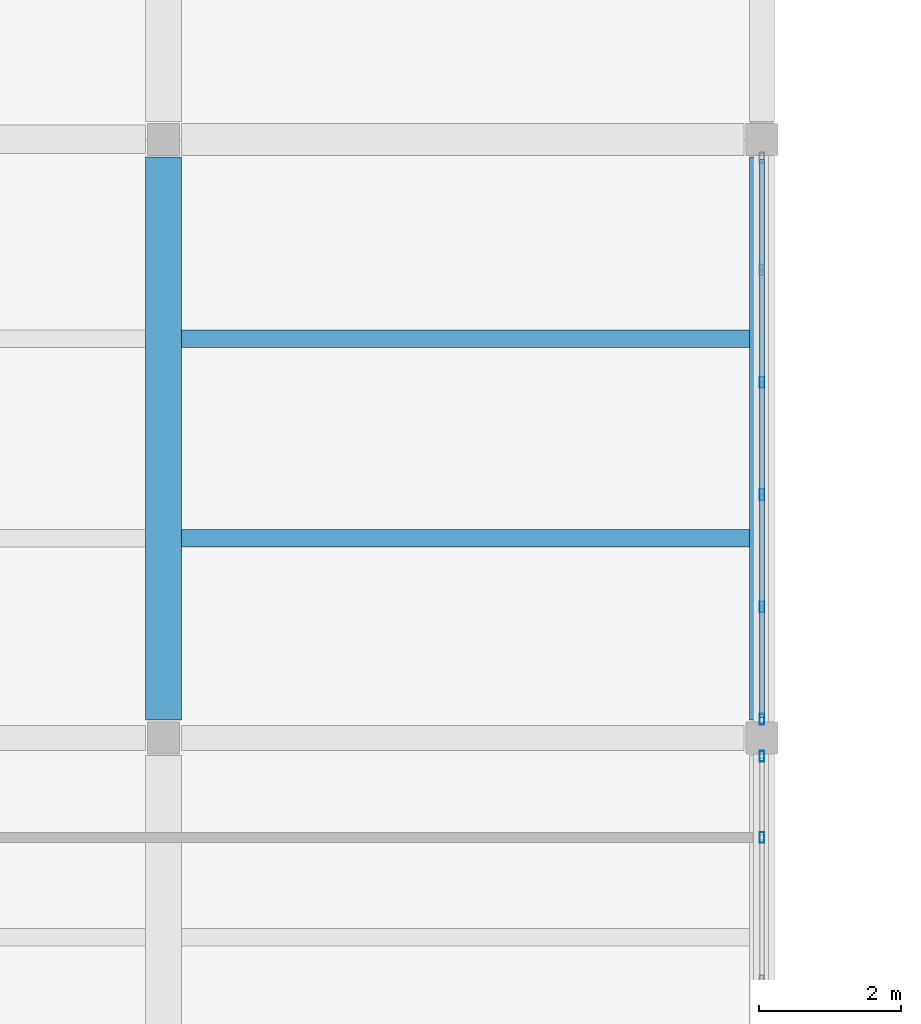
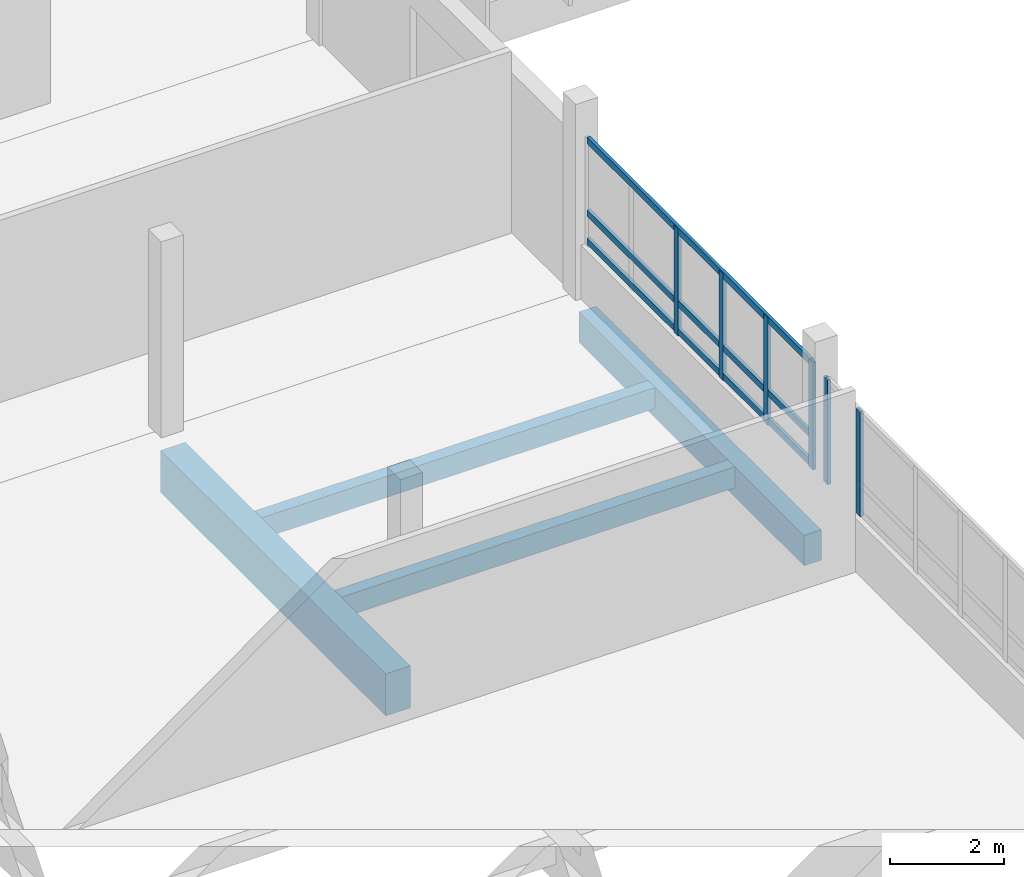
# One storey, part 18 of 62: 9 members, 4 beams, 2 elements without a shape of their own.
"""IFC4 building model written with IfcOpenShell, lengths in metres."""

import ifcopenshell
import ifcopenshell.guid

model = None  # the IFC model being written
_history = None  # IfcOwnerHistory: only IFC2X3 demands one
_inside = {}  # id of a spatial element -> (the spatial element, [elements in it])
_under = {}  # id of a project, library or spatial element -> (it, [spatial elements below it])
_declared = {}  # id of a project -> (the project, [libraries it declares])
_typed = {}  # id of a type object -> (the type object, [elements of that type])
_made_of = {}  # id of a material, layer set ... -> (it, [elements and type objects made of it])


def new_model(schema):
    """Start an empty IFC model of exactly this schema.

    Asked for "IFC4X3", IfcOpenShell would pick the latest addendum, in which some entities
    have other attributes; the version numbers below select the first issue.
    IFC2X3 requires an IfcOwnerHistory on every rooted entity: one is made here for all.
    """
    global model, _history
    if schema == "IFC4X3":
        model = ifcopenshell.file(schema_version=(4, 3, 0, 0))
    else:
        model = ifcopenshell.file(schema=schema)
    _inside.clear()
    _under.clear()
    _declared.clear()
    _typed.clear()
    _made_of.clear()
    _history = None
    if model.schema == "IFC2X3":
        org = make("IfcOrganization", Name="unknown")
        user = make(
            "IfcPersonAndOrganization",
            ThePerson=make("IfcPerson", FamilyName="unknown"),
            TheOrganization=org,
        )
        app = make(
            "IfcApplication",
            ApplicationDeveloper=org,
            Version="unknown",
            ApplicationFullName="unknown",
            ApplicationIdentifier="unknown",
        )
        _history = make(
            "IfcOwnerHistory",
            OwningUser=user,
            OwningApplication=app,
            ChangeAction="ADDED",
            CreationDate=0,
        )
    return model


def make(cls, **values):
    """One entity of the class cls with the attributes given. An attribute that is None is left unset."""
    return model.create_entity(
        cls, **{name: value for name, value in values.items() if value is not None}
    )


def rooted(cls, **values):
    """An entity with a GlobalId (a new one), such as an element, a storey or a relation."""
    return make(cls, GlobalId=ifcopenshell.guid.new(), OwnerHistory=_history, **values)


def si_unit(unit_type, name, prefix=None):
    """IfcSIUnit, for example si_unit("LENGTHUNIT", "METRE", prefix="MILLI")."""
    return make("IfcSIUnit", UnitType=unit_type, Prefix=prefix, Name=name)


def assignment(units):
    """IfcUnitAssignment: the units of a project."""
    return None if units is None else make("IfcUnitAssignment", Units=units)


def point(xyz):
    """IfcCartesianPoint."""
    return None if xyz is None else make("IfcCartesianPoint", Coordinates=xyz)


def direction(xyz):
    """IfcDirection."""
    return None if xyz is None else make("IfcDirection", DirectionRatios=xyz)


def frame(location, z_axis=None, x_axis=None):
    """IfcAxis2Placement3D, a coordinate frame: its origin and axes. An axis left out is left unset."""
    return make(
        "IfcAxis2Placement3D",
        Location=point(location),
        Axis=direction(z_axis),
        RefDirection=direction(x_axis),
    )


def frame_2d(location, x_axis=None):
    """IfcAxis2Placement2D, a coordinate frame in the plane: its origin and x axis."""
    return make(
        "IfcAxis2Placement2D", Location=point(location), RefDirection=direction(x_axis)
    )


def origin():
    """The frame at (0, 0, 0) with its axes left unset."""
    return frame((0.0, 0.0, 0.0))


def origin_2d():
    """The frame at (0, 0) in the plane with its x axis left unset."""
    return frame_2d((0.0, 0.0))


def place(relative_to, where):
    """IfcLocalPlacement: puts the frame where relative to a parent placement (None: the world)."""
    return make(
        "IfcLocalPlacement", PlacementRelTo=relative_to, RelativePlacement=where
    )


def context(
    kind, dimensions, precision=None, world=None, true_north=None, identifier=None
):
    """IfcGeometricRepresentationContext, for example the 3D "Model" context."""
    return make(
        "IfcGeometricRepresentationContext",
        ContextIdentifier=identifier,
        ContextType=kind,
        CoordinateSpaceDimension=dimensions,
        Precision=precision,
        WorldCoordinateSystem=world,
        TrueNorth=true_north,
    )


def subcontext(parent, identifier, kind, view, scale=None):
    """IfcGeometricRepresentationSubContext, for example "Body" below "Model"."""
    return make(
        "IfcGeometricRepresentationSubContext",
        ContextIdentifier=identifier,
        ContextType=kind,
        ParentContext=parent,
        TargetScale=scale,
        TargetView=view,
    )


def project(units=None, contexts=None):
    """IfcProject with its units and contexts."""
    return rooted(
        "IfcProject",
        Name="project",
        RepresentationContexts=contexts,
        UnitsInContext=assignment(units),
    )


def spatial(cls, under=None, at=None, **own):
    """A site, building, storey or space (cls), placed at a placement, below another one or the project."""
    s = rooted(cls, ObjectPlacement=at, **own)
    if under is not None:
        _under.setdefault(under.id(), (under, []))[1].append(s)
    return s


def profile(cls, at=None, kind="AREA", **sizes):
    """A parametric profile (cls). Its sizes go by their IFC names, for example OverallWidth=200.0."""
    return make(cls, ProfileType=kind, Position=at, **sizes)


def rectangle(**sizes):
    """IfcRectangleProfileDef."""
    return profile("IfcRectangleProfileDef", **sizes)


def hollow_rectangle(**sizes):
    """IfcRectangleHollowProfileDef."""
    return profile("IfcRectangleHollowProfileDef", **sizes)


def extrude(swept, where, along, depth):
    """IfcExtrudedAreaSolid: the profile swept, set in the frame where, extruded along a direction by depth."""
    return make(
        "IfcExtrudedAreaSolid",
        SweptArea=swept,
        Position=where,
        ExtrudedDirection=direction(along),
        Depth=depth,
    )


def shape(context_of_items, identifier, shape_type, items):
    """IfcShapeRepresentation: the items that make up one representation, for example the "Body"."""
    return make(
        "IfcShapeRepresentation",
        ContextOfItems=context_of_items,
        RepresentationIdentifier=identifier,
        RepresentationType=shape_type,
        Items=items,
    )


def material(Name=None, Category=None):
    """IfcMaterial."""
    return make("IfcMaterial", Name=Name, Category=Category)


def layer(
    of_material, thickness, ventilated=None, Name=None, Category=None, Priority=None
):
    """IfcMaterialLayer: one layer of a wall or slab, of a material (None: an air gap)."""
    return make(
        "IfcMaterialLayer",
        Material=of_material,
        LayerThickness=thickness,
        IsVentilated=ventilated,
        Name=Name,
        Category=Category,
        Priority=Priority,
    )


def layer_set(layers, Name=None):
    """IfcMaterialLayerSet."""
    return make("IfcMaterialLayerSet", MaterialLayers=layers, LayerSetName=Name)


def material_profile(
    of_material, cross_section, Name=None, Category=None, Priority=None
):
    """IfcMaterialProfile: a cross section and its material."""
    return make(
        "IfcMaterialProfile",
        Name=Name,
        Material=of_material,
        Profile=cross_section,
        Priority=Priority,
        Category=Category,
    )


def profile_set(profiles, Name=None, composite=None):
    """IfcMaterialProfileSet."""
    return make(
        "IfcMaterialProfileSet",
        Name=Name,
        MaterialProfiles=profiles,
        CompositeProfile=composite,
    )


def made_of(thing, what):
    """Note that an element or type object is made of a material, layer set ...; save() writes the relation."""
    if what is not None:
        _made_of.setdefault(what.id(), (what, []))[1].append(thing)
    return thing


def type_object(cls, material=None, **own):
    """A type object (cls), such as IfcWallType, which elements share."""
    return made_of(rooted(cls, **own), material)


def element(
    cls,
    number,
    at=None,
    inside=None,
    cuts=None,
    type_object=None,
    material=None,
    context=None,
    identifier="Body",
    shape_type=None,
    held_by="IfcProductDefinitionShape",
    body=None,
    shapes=None,
    **own,
):
    """One element of the class cls, such as IfcWall. Its Tag is "e" and its number.

    at: its placement. inside: the storey or other place that contains it. cuts: it is an
    opening in that element (IfcRelVoidsElement). A single representation is given by context,
    identifier, shape_type and body (its items); several are given by shapes. held_by: the class
    of the entity that holds the representations. save() writes the other relations.
    """
    e = rooted(cls, Tag="e%d" % number, ObjectPlacement=at, **own)
    if body is not None:
        shapes = [shape(context, identifier, shape_type, body)]
    if shapes is not None:
        e.Representation = make(held_by, Representations=shapes)
    if inside is not None:
        _inside.setdefault(inside.id(), (inside, []))[1].append(e)
    if cuts is not None:
        rooted(
            "IfcRelVoidsElement", RelatingBuildingElement=cuts, RelatedOpeningElement=e
        )
    if type_object is not None:
        _typed.setdefault(type_object.id(), (type_object, []))[1].append(e)
    return made_of(e, material)


def aggregate(whole, parts):
    """IfcRelAggregates: a whole, such as a stair, and the parts it consists of."""
    return rooted("IfcRelAggregates", RelatingObject=whole, RelatedObjects=parts)


def save(model, path):
    """Write the relations noted so far, then the file.

    IfcRelAggregates (storeys below a building ...), IfcRelContainedInSpatialStructure (elements
    in a storey), IfcRelDefinesByType, IfcRelAssociatesMaterial and IfcRelDeclares: one each for
    every whole, place, type object, material and project.
    """
    for whole, parts in _under.values():
        aggregate(whole, parts)
    for where, things in _inside.values():
        rooted(
            "IfcRelContainedInSpatialStructure",
            RelatedElements=things,
            RelatingStructure=where,
        )
    for kind, things in _typed.values():
        rooted("IfcRelDefinesByType", RelatedObjects=things, RelatingType=kind)
    for what, things in _made_of.values():
        rooted("IfcRelAssociatesMaterial", RelatedObjects=things, RelatingMaterial=what)
    for by, libraries in _declared.values():
        rooted("IfcRelDeclares", RelatingContext=by, RelatedDefinitions=libraries)
    model.write(path)


model = new_model("IFC4")

# Units and contexts
model_context = context("Model", 3, precision=1e-05, world=origin(), true_north=direction((0.0, 1.0)))
body_context = subcontext(model_context, "Body", "Model", "MODEL_VIEW")
ifc_project = project(units=[si_unit("LENGTHUNIT", "METRE"), si_unit("AREAUNIT", "SQUARE_METRE"), si_unit("VOLUMEUNIT", "CUBIC_METRE"), si_unit("PLANEANGLEUNIT", "RADIAN"), si_unit("MASSUNIT", "GRAM", prefix="KILO")], contexts=[model_context])

# Site, building, storey
site_placement = place(None, origin())
site = spatial("IfcSite", under=ifc_project, at=site_placement, CompositionType="ELEMENT")
building_placement = place(site_placement, origin())
building = spatial("IfcBuilding", under=site, at=building_placement, Name="Vireocrest Preparatory School", CompositionType="ELEMENT")
storey_placement = place(building_placement, frame((0.0, 0.0, 17.39990234375)))
storey = spatial("IfcBuildingStorey", under=building, at=storey_placement, Name="L04", CompositionType="ELEMENT", Elevation=17.39990234375)

# Curtain wall, members
ifc_material_1 = material(Name="Thermally broken aluminium EN AW-6063-T6", Category="aluminium")
ifc_layer = layer(ifc_material_1, 0.179931640625)
ifc_layer_set = layer_set([ifc_layer], Name="Thermally broken aluminium EN AW-6063-T6")
curtain_wall_type = type_object("IfcCurtainWallType", Name="Court Banded Curtain Wall 8400x3000", PredefinedType="USERDEFINED", material=ifc_layer_set)
curtain_wall_1_placement = place(storey_placement, origin())
curtain_wall_1 = element("IfcCurtainWall", 1, at=curtain_wall_1_placement, inside=storey, type_object=curtain_wall_type, Name="Curtain Wall CW02 CW_L04_CW02_0672_0692_186", ObjectType="CURTAIN WALL", PredefinedType="USERDEFINED")
ifc_material_profile_1 = material_profile(ifc_material_1, hollow_rectangle(XDim=0.06494140625, YDim=0.14990234375, WallThickness=0.00390625, at=origin_2d()), Name="ALU 65x150x4")
ifc_profile_set_1 = profile_set([ifc_material_profile_1], Name="Thermally broken aluminium EN AW-6063-T6")
member_type_1 = type_object("IfcMemberType", Name="CW Mullion 65x150x4", PredefinedType="MULLION", material=ifc_profile_set_1)
member_1_placement = place(storey_placement, frame((67.199951171875, 76.0, 1.150146484375), z_axis=(0.0, 0.0, 1.0), x_axis=(1.0, 0.0, 0.0)))
member_1 = element("IfcMember", 2, at=member_1_placement, type_object=member_type_1, Name="CW Mullion ML1 CW_L04_CW02_0672_0692_186-5", PredefinedType="MULLION", context=body_context, shape_type="SweptSolid", body=[
    extrude(hollow_rectangle(XDim=0.06494140625, YDim=0.14990234375, WallThickness=0.00390625, at=origin_2d()), origin(), (0.0, 0.0, 1.0), 2.244873046875),
])
member_2_placement = place(storey_placement, frame((67.199951171875, 77.139892578125, 1.150146484375), z_axis=(0.0, 0.0, 1.0), x_axis=(1.0, 0.0, 0.0)))
member_2 = element("IfcMember", 3, at=member_2_placement, type_object=member_type_1, Name="CW Mullion ML1 CW_L04_CW02_0672_0692_186-6", PredefinedType="MULLION", context=body_context, shape_type="SweptSolid", body=[
    extrude(hollow_rectangle(XDim=0.06494140625, YDim=0.14990234375, WallThickness=0.00390625, at=origin_2d()), origin(), (0.0, 0.0, 1.0), 2.244873046875),
])
aggregate(curtain_wall_1, [member_1, member_2])

curtain_wall_2_placement = place(storey_placement, origin())
curtain_wall_2 = element("IfcCurtainWall", 4, at=curtain_wall_2_placement, inside=storey, type_object=curtain_wall_type, Name="Curtain Wall CW02 CW_L04_CW02_0672_0776_186", ObjectType="CURTAIN WALL", PredefinedType="USERDEFINED")
member_3_placement = place(storey_placement, frame((67.199951171875, 77.659912109375, 1.150146484375), z_axis=(0.0, 0.0, 1.0), x_axis=(1.0, 0.0, 0.0)))
member_3 = element("IfcMember", 5, at=member_3_placement, type_object=member_type_1, Name="CW Mullion ML1 CW_L04_CW02_0672_0776_186-1", PredefinedType="MULLION", context=body_context, shape_type="SweptSolid", body=[
    extrude(hollow_rectangle(XDim=0.06494140625, YDim=0.14990234375, WallThickness=0.00390625, at=origin_2d()), origin(), (0.0, 0.0, 1.0), 2.294921875),
])
member_4_placement = place(storey_placement, frame((67.199951171875, 79.236083984375, 1.150146484375), z_axis=(0.0, 0.0, 1.0), x_axis=(1.0, 0.0, 0.0)))
member_4 = element("IfcMember", 6, at=member_4_placement, type_object=member_type_1, Name="CW Mullion ML1 CW_L04_CW02_0672_0776_186-2", PredefinedType="MULLION", context=body_context, shape_type="SweptSolid", body=[
    extrude(hollow_rectangle(XDim=0.06494140625, YDim=0.14990234375, WallThickness=0.00390625, at=origin_2d()), origin(), (0.0, 0.0, 1.0), 2.294921875),
])
member_5_placement = place(storey_placement, frame((67.199951171875, 80.81201171875, 1.150146484375), z_axis=(0.0, 0.0, 1.0), x_axis=(1.0, 0.0, 0.0)))
member_5 = element("IfcMember", 7, at=member_5_placement, type_object=member_type_1, Name="CW Mullion ML1 CW_L04_CW02_0672_0776_186-3", PredefinedType="MULLION", context=body_context, shape_type="SweptSolid", body=[
    extrude(hollow_rectangle(XDim=0.06494140625, YDim=0.14990234375, WallThickness=0.00390625, at=origin_2d()), origin(), (0.0, 0.0, 1.0), 2.294921875),
])
member_6_placement = place(storey_placement, frame((67.199951171875, 82.387939453125, 1.150146484375), z_axis=(0.0, 0.0, 1.0), x_axis=(1.0, 0.0, 0.0)))
member_6 = element("IfcMember", 8, at=member_6_placement, type_object=member_type_1, Name="CW Mullion ML1 CW_L04_CW02_0672_0776_186-4", PredefinedType="MULLION", context=body_context, shape_type="SweptSolid", body=[
    extrude(hollow_rectangle(XDim=0.06494140625, YDim=0.14990234375, WallThickness=0.00390625, at=origin_2d()), origin(), (0.0, 0.0, 1.0), 2.294921875),
])
ifc_material_profile_2 = material_profile(ifc_material_1, hollow_rectangle(XDim=0.06494140625, YDim=0.139892578125, WallThickness=0.00390625, at=origin_2d()), Name="ALU 65x140x4")
ifc_profile_set_2 = profile_set([ifc_material_profile_2], Name="Thermally broken aluminium EN AW-6063-T6")
member_type_2 = type_object("IfcMemberType", Name="CW Transom 65x140x4", PredefinedType="USERDEFINED", material=ifc_profile_set_2)
member_7_placement = place(storey_placement, frame((67.199951171875, 77.68505859375, 1.2451171875), z_axis=(0.0, 1.0, 0.0), x_axis=(-1.0, 0.0, 0.0)))
member_7 = element("IfcMember", 9, at=member_7_placement, type_object=member_type_2, Name="CW Transom TR1 CW_L04_CW02_0672_0776_186-1", ObjectType="TRANSOM", PredefinedType="USERDEFINED", context=body_context, shape_type="SweptSolid", body=[
    extrude(hollow_rectangle(XDim=0.06494140625, YDim=0.139892578125, WallThickness=0.00390625, at=origin_2d()), origin(), (0.0, 0.0, 1.0), 7.829833984375),
])
member_8_placement = place(storey_placement, frame((67.199951171875, 77.68505859375, 1.85009765625), z_axis=(0.0, 1.0, 0.0), x_axis=(-1.0, 0.0, 0.0)))
member_8 = element("IfcMember", 10, at=member_8_placement, type_object=member_type_2, Name="CW Transom TR1 CW_L04_CW02_0672_0776_186-2", ObjectType="TRANSOM", PredefinedType="USERDEFINED", context=body_context, shape_type="SweptSolid", body=[
    extrude(hollow_rectangle(XDim=0.06494140625, YDim=0.139892578125, WallThickness=0.00390625, at=origin_2d()), origin(), (0.0, 0.0, 1.0), 7.829833984375),
])
member_9_placement = place(storey_placement, frame((67.199951171875, 77.68505859375, 3.405029296875), z_axis=(0.0, 1.0, 0.0), x_axis=(-1.0, 0.0, 0.0)))
member_9 = element("IfcMember", 11, at=member_9_placement, type_object=member_type_2, Name="CW Transom TR1 CW_L04_CW02_0672_0776_186-3", ObjectType="TRANSOM", PredefinedType="USERDEFINED", context=body_context, shape_type="SweptSolid", body=[
    extrude(hollow_rectangle(XDim=0.06494140625, YDim=0.139892578125, WallThickness=0.00390625, at=origin_2d()), origin(), (0.0, 0.0, 1.0), 7.829833984375),
])
aggregate(curtain_wall_2, [member_3, member_4, member_5, member_6, member_7, member_8, member_9])

# Beams
ifc_material_2 = material(Name="Concrete 40 MPa", Category="concrete")
ifc_material_profile_3 = material_profile(ifc_material_2, rectangle(XDim=0.35009765625, YDim=0.64990234375, at=origin_2d()), Name="RC 350x650")
ifc_profile_set_3 = profile_set([ifc_material_profile_3], Name="Concrete 40 MPa")
beam_type_1 = type_object("IfcBeamType", Name="RC Classroom Girder 350x650", PredefinedType="BEAM", material=ifc_profile_set_3)
beam_1_placement = place(storey_placement, frame((67.199951171875, 77.64990234375, -0.56494140625), z_axis=(0.0, 1.0, 0.0), x_axis=(-1.0, 0.0, 0.0)))
element("IfcBeam", 12, at=beam_1_placement, inside=storey, type_object=beam_type_1, Name="Primary Girder B05 L04-1384", PredefinedType="BEAM", context=body_context, shape_type="SweptSolid", body=[
    extrude(rectangle(XDim=0.35009765625, YDim=0.64990234375, at=origin_2d()), origin(), (0.0, 0.0, 1.0), 7.900146484375),
])
ifc_material_profile_4 = material_profile(ifc_material_2, rectangle(XDim=0.5, YDim=0.89990234375, at=origin_2d()), Name="RC 500x900")
ifc_profile_set_4 = profile_set([ifc_material_profile_4], Name="Concrete 40 MPa")
beam_type_2 = type_object("IfcBeamType", Name="RC Podium Girder 500x900", PredefinedType="BEAM", material=ifc_profile_set_4)
beam_2_placement = place(storey_placement, frame((58.800048828125, 77.64990234375, -0.68994140625), z_axis=(0.0, 1.0, 0.0), x_axis=(-1.0, 0.0, 0.0)))
element("IfcBeam", 13, at=beam_2_placement, inside=storey, type_object=beam_type_2, Name="Primary Girder B15 L04-1376", PredefinedType="BEAM", context=body_context, shape_type="SweptSolid", body=[
    extrude(rectangle(XDim=0.5, YDim=0.89990234375, at=origin_2d()), origin(), (0.0, 0.0, 1.0), 7.900146484375),
])
ifc_material_profile_5 = material_profile(ifc_material_2, rectangle(XDim=0.25, YDim=0.449951171875, at=origin_2d()), Name="RC 250x450")
ifc_profile_set_5 = profile_set([ifc_material_profile_5], Name="Concrete 40 MPa")
beam_type_3 = type_object("IfcBeamType", Name="RC Secondary Floor Joist 250x450", PredefinedType="JOIST", material=ifc_profile_set_5)
for number, where, z_axis, x_axis, name in (
    (14, (59.050048828125, 80.199951171875, -0.46484375), (1.0, 0.0, 0.0), (0.0, 1.0, 0.0), "Secondary Joist J01 L04-1463"),
    (15, (59.050048828125, 83.0, -0.46484375), (1.0, 0.0, 0.0), (0.0, 1.0, 0.0), "Secondary Joist J01 L04-1464"),
):
    element("IfcBeam", number, at=place(storey_placement, frame(where, z_axis=z_axis, x_axis=x_axis)), inside=storey, type_object=beam_type_3, Name=name, PredefinedType="JOIST", context=body_context, shape_type="SweptSolid", body=[
        extrude(rectangle(XDim=0.25, YDim=0.449951171875, at=origin_2d()), origin(), (0.0, 0.0, 1.0), 7.974853515625),
    ])

save(model, "model.ifc")
